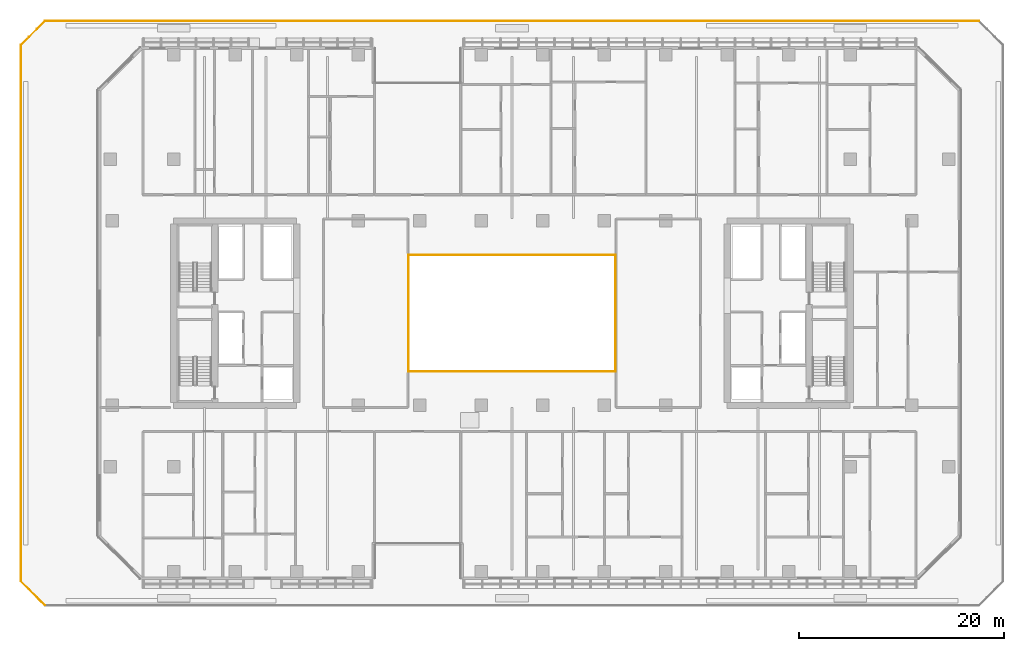
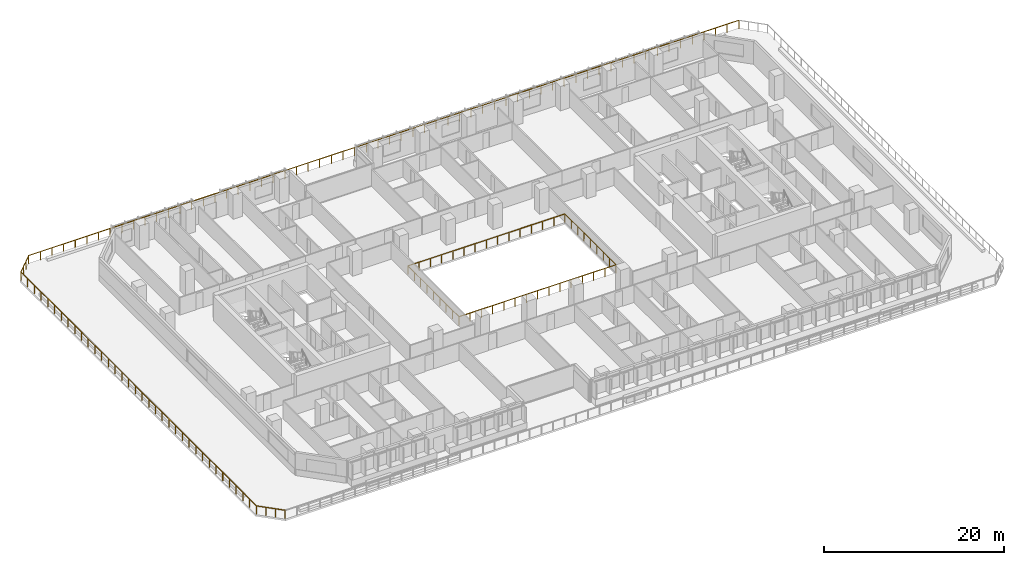
# One storey, part 16 of 23: 3 railings.
"""IFC4 building model written with IfcOpenShell, lengths in metres."""

from ifc_helpers import new_model, si_unit, direction, frame, origin, place, context, subcontext, project, spatial, rectangle, extrude, material, type_object, element, save


model = new_model("IFC4")

# Units and contexts
model_context = context("Model", 3, precision=1e-05, world=origin(), true_north=direction((0.0, 1.0)))
body_context = subcontext(model_context, "Body", "Model", "MODEL_VIEW")
ifc_project = project(units=[si_unit("LENGTHUNIT", "METRE"), si_unit("AREAUNIT", "SQUARE_METRE"), si_unit("VOLUMEUNIT", "CUBIC_METRE"), si_unit("PLANEANGLEUNIT", "RADIAN"), si_unit("MASSUNIT", "GRAM", prefix="KILO")], contexts=[model_context])

# Site, building, storey
site_placement = place(None, origin())
site = spatial("IfcSite", under=ifc_project, at=site_placement, CompositionType="ELEMENT")
building_placement = place(site_placement, origin())
building = spatial("IfcBuilding", under=site, at=building_placement, Name="Tanjung Sevakor Pilgrim Tower", CompositionType="ELEMENT")
storey_placement = place(building_placement, frame((0.0, 0.0, 29.0400390625)))
storey = spatial("IfcBuildingStorey", under=building, at=storey_placement, Name="L07", CompositionType="ELEMENT", Elevation=29.0400390625)

# Railings
ifc_material_1 = material(Name="Laminated Glass and Aluminium", Category="aluminium")
railing_type_1 = type_object("IfcRailingType", Name="RL-BAL-BALUST", PredefinedType="BALUSTRADE", material=ifc_material_1)
railing_1_placement = place(storey_placement, frame((46.919921875, 27.919921875, 0.0)))
element("IfcRailing", 1, at=railing_1_placement, inside=storey, type_object=railing_type_1, Name="L07 Void Opening Balustrade 1A", PredefinedType="BALUSTRADE", context=body_context, shape_type="SweptSolid", body=[
    extrude(rectangle(XDim=0.0479, YDim=0.0479), frame((0.0, 0.0, 1.1259765625), z_axis=(1.0, 0.0, 0.0), x_axis=(0.0, 1.0, 0.0)), (0.0, 0.0, 1.0), 20.16015625),
    extrude(rectangle(XDim=0.0479, YDim=0.0479), frame((20.16015625, 0.0, 1.1259765625), z_axis=(0.0, 1.0, 0.0), x_axis=(-1.0, 0.0, 0.0)), (0.0, 0.0, 1.0), 11.360107421875),
    extrude(rectangle(XDim=0.042, YDim=0.042), origin(), (0.0, 0.0, 1.0), 1.101806640625),
    extrude(rectangle(XDim=0.042, YDim=0.042), frame((1.43994140625, 0.0, 0.0)), (0.0, 0.0, 1.0), 1.101806640625),
    extrude(rectangle(XDim=0.042, YDim=0.042), frame((2.880126953125, 0.0, 0.0)), (0.0, 0.0, 1.0), 1.101806640625),
    extrude(rectangle(XDim=0.042, YDim=0.042), frame((4.320068359375, 0.0, 0.0)), (0.0, 0.0, 1.0), 1.101806640625),
    extrude(rectangle(XDim=0.042, YDim=0.042), frame((5.760009765625, 0.0, 0.0)), (0.0, 0.0, 1.0), 1.101806640625),
    extrude(rectangle(XDim=0.042, YDim=0.042), frame((7.199951171875, 0.0, 0.0)), (0.0, 0.0, 1.0), 1.101806640625),
    extrude(rectangle(XDim=0.042, YDim=0.042), frame((8.64013671875, 0.0, 0.0)), (0.0, 0.0, 1.0), 1.101806640625),
    extrude(rectangle(XDim=0.042, YDim=0.042), frame((10.080078125, 0.0, 0.0)), (0.0, 0.0, 1.0), 1.101806640625),
    extrude(rectangle(XDim=0.042, YDim=0.042), frame((11.52001953125, 0.0, 0.0)), (0.0, 0.0, 1.0), 1.101806640625),
    extrude(rectangle(XDim=0.042, YDim=0.042), frame((12.960205078125, 0.0, 0.0)), (0.0, 0.0, 1.0), 1.101806640625),
    extrude(rectangle(XDim=0.042, YDim=0.042), frame((14.400146484375, 0.0, 0.0)), (0.0, 0.0, 1.0), 1.101806640625),
    extrude(rectangle(XDim=0.042, YDim=0.042), frame((15.840087890625, 0.0, 0.0)), (0.0, 0.0, 1.0), 1.101806640625),
    extrude(rectangle(XDim=0.042, YDim=0.042), frame((17.280029296875, 0.0, 0.0)), (0.0, 0.0, 1.0), 1.101806640625),
    extrude(rectangle(XDim=0.042, YDim=0.042), frame((18.72021484375, 0.0, 0.0)), (0.0, 0.0, 1.0), 1.101806640625),
    extrude(rectangle(XDim=0.042, YDim=0.042), frame((20.16015625, 0.0, 0.0)), (0.0, 0.0, 1.0), 1.101806640625),
    extrude(rectangle(XDim=0.042, YDim=0.042), frame((20.16015625, 1.419921875, 0.0)), (0.0, 0.0, 1.0), 1.101806640625),
    extrude(rectangle(XDim=0.042, YDim=0.042), frame((20.16015625, 2.840087890625, 0.0)), (0.0, 0.0, 1.0), 1.101806640625),
    extrude(rectangle(XDim=0.042, YDim=0.042), frame((20.16015625, 4.260009765625, 0.0)), (0.0, 0.0, 1.0), 1.101806640625),
    extrude(rectangle(XDim=0.042, YDim=0.042), frame((20.16015625, 5.68017578125, 0.0)), (0.0, 0.0, 1.0), 1.101806640625),
    extrude(rectangle(XDim=0.042, YDim=0.042), frame((20.16015625, 7.10009765625, 0.0)), (0.0, 0.0, 1.0), 1.101806640625),
    extrude(rectangle(XDim=0.042, YDim=0.042), frame((20.16015625, 8.52001953125, 0.0)), (0.0, 0.0, 1.0), 1.101806640625),
    extrude(rectangle(XDim=0.042, YDim=0.042), frame((20.16015625, 9.940185546875, 0.0)), (0.0, 0.0, 1.0), 1.101806640625),
    extrude(rectangle(XDim=0.042, YDim=0.042), frame((20.16015625, 11.360107421875, 0.0)), (0.0, 0.0, 1.0), 1.101806640625),
])
railing_2_placement = place(storey_placement, frame((67.080078125, 39.280029296875, 0.0)))
element("IfcRailing", 2, at=railing_2_placement, inside=storey, type_object=railing_type_1, Name="L07 Void Opening Balustrade 1B", PredefinedType="BALUSTRADE", context=body_context, shape_type="SweptSolid", body=[
    extrude(rectangle(XDim=0.0479, YDim=0.0479), frame((0.0, 0.0, 1.1259765625), z_axis=(-1.0, 0.0, 0.0), x_axis=(0.0, -1.0, 0.0)), (0.0, 0.0, 1.0), 20.16015625),
    extrude(rectangle(XDim=0.0479, YDim=0.0479), frame((-20.16015625, 0.0, 1.1259765625), z_axis=(0.0, -1.0, 0.0), x_axis=(1.0, 0.0, 0.0)), (0.0, 0.0, 1.0), 11.360107421875),
    extrude(rectangle(XDim=0.042, YDim=0.042), origin(), (0.0, 0.0, 1.0), 1.101806640625),
    extrude(rectangle(XDim=0.042, YDim=0.042), frame((-1.43994140625, 0.0, 0.0)), (0.0, 0.0, 1.0), 1.101806640625),
    extrude(rectangle(XDim=0.042, YDim=0.042), frame((-2.880126953125, 0.0, 0.0)), (0.0, 0.0, 1.0), 1.101806640625),
    extrude(rectangle(XDim=0.042, YDim=0.042), frame((-4.320068359375, 0.0, 0.0)), (0.0, 0.0, 1.0), 1.101806640625),
    extrude(rectangle(XDim=0.042, YDim=0.042), frame((-5.760009765625, 0.0, 0.0)), (0.0, 0.0, 1.0), 1.101806640625),
    extrude(rectangle(XDim=0.042, YDim=0.042), frame((-7.199951171875, 0.0, 0.0)), (0.0, 0.0, 1.0), 1.101806640625),
    extrude(rectangle(XDim=0.042, YDim=0.042), frame((-8.64013671875, 0.0, 0.0)), (0.0, 0.0, 1.0), 1.101806640625),
    extrude(rectangle(XDim=0.042, YDim=0.042), frame((-10.080078125, 0.0, 0.0)), (0.0, 0.0, 1.0), 1.101806640625),
    extrude(rectangle(XDim=0.042, YDim=0.042), frame((-11.52001953125, 0.0, 0.0)), (0.0, 0.0, 1.0), 1.101806640625),
    extrude(rectangle(XDim=0.042, YDim=0.042), frame((-12.960205078125, 0.0, 0.0)), (0.0, 0.0, 1.0), 1.101806640625),
    extrude(rectangle(XDim=0.042, YDim=0.042), frame((-14.400146484375, 0.0, 0.0)), (0.0, 0.0, 1.0), 1.101806640625),
    extrude(rectangle(XDim=0.042, YDim=0.042), frame((-15.840087890625, 0.0, 0.0)), (0.0, 0.0, 1.0), 1.101806640625),
    extrude(rectangle(XDim=0.042, YDim=0.042), frame((-17.280029296875, 0.0, 0.0)), (0.0, 0.0, 1.0), 1.101806640625),
    extrude(rectangle(XDim=0.042, YDim=0.042), frame((-18.72021484375, 0.0, 0.0)), (0.0, 0.0, 1.0), 1.101806640625),
    extrude(rectangle(XDim=0.042, YDim=0.042), frame((-20.16015625, 0.0, 0.0)), (0.0, 0.0, 1.0), 1.101806640625),
    extrude(rectangle(XDim=0.042, YDim=0.042), frame((-20.16015625, -1.419921875, 0.0)), (0.0, 0.0, 1.0), 1.101806640625),
    extrude(rectangle(XDim=0.042, YDim=0.042), frame((-20.16015625, -2.840087890625, 0.0)), (0.0, 0.0, 1.0), 1.101806640625),
    extrude(rectangle(XDim=0.042, YDim=0.042), frame((-20.16015625, -4.260009765625, 0.0)), (0.0, 0.0, 1.0), 1.101806640625),
    extrude(rectangle(XDim=0.042, YDim=0.042), frame((-20.16015625, -5.68017578125, 0.0)), (0.0, 0.0, 1.0), 1.101806640625),
    extrude(rectangle(XDim=0.042, YDim=0.042), frame((-20.16015625, -7.10009765625, 0.0)), (0.0, 0.0, 1.0), 1.101806640625),
    extrude(rectangle(XDim=0.042, YDim=0.042), frame((-20.16015625, -8.52001953125, 0.0)), (0.0, 0.0, 1.0), 1.101806640625),
    extrude(rectangle(XDim=0.042, YDim=0.042), frame((-20.16015625, -9.940185546875, 0.0)), (0.0, 0.0, 1.0), 1.101806640625),
    extrude(rectangle(XDim=0.042, YDim=0.042), frame((-20.16015625, -11.360107421875, 0.0)), (0.0, 0.0, 1.0), 1.101806640625),
])
ifc_material_2 = material(Name="Steel S355J2", Category="steel")
railing_type_2 = type_object("IfcRailingType", Name="RL-EXT-GUARD", PredefinedType="GUARDRAIL", material=ifc_material_2)
railing_3_placement = place(storey_placement, frame((102.55859375, 62.10009765625, 0.0)))
element("IfcRailing", 3, at=railing_3_placement, inside=storey, type_object=railing_type_2, Name="L07 Terrace Perimeter Guardrail GR-PODTER-L07-2", PredefinedType="GUARDRAIL", context=body_context, shape_type="SweptSolid", body=[
    extrude(rectangle(XDim=0.0479, YDim=0.0479), frame((0.0, 0.0, 1.1259765625), z_axis=(-1.0, 0.0, 0.0), x_axis=(0.0, -1.0, 0.0)), (0.0, 0.0, 1.0), 91.1171875),
    extrude(rectangle(XDim=0.0479, YDim=0.0479), frame((-91.1171875, 0.0, 1.1259765625), z_axis=(-0.707069915266, -0.707143645185, 0.0), x_axis=(0.707143645185, -0.707069915266, 0.0)), (0.0, 0.0, 1.0), 3.311279296875),
    extrude(rectangle(XDim=0.0479, YDim=0.0479), frame((-93.45849609375, -2.341552734375, 1.1259765625), z_axis=(0.0, -1.0, 0.0), x_axis=(1.0, 0.0, 0.0)), (0.0, 0.0, 1.0), 52.317138671875),
    extrude(rectangle(XDim=0.0479, YDim=0.0479), frame((-93.45849609375, -54.65869140625, 1.1259765625), z_axis=(0.707106781187, -0.707106781187, 0.0), x_axis=(0.707106781187, 0.707106781187, 0.0)), (0.0, 0.0, 1.0), 3.31103515625),
    extrude(rectangle(XDim=0.042, YDim=0.042), origin(), (0.0, 0.0, 1.0), 1.101806640625),
    extrude(rectangle(XDim=0.042, YDim=0.042), frame((-1.49365234375, 0.0, 0.0)), (0.0, 0.0, 1.0), 1.101806640625),
    extrude(rectangle(XDim=0.042, YDim=0.042), frame((-2.987548828125, 0.0, 0.0)), (0.0, 0.0, 1.0), 1.101806640625),
    extrude(rectangle(XDim=0.042, YDim=0.042), frame((-4.481201171875, 0.0, 0.0)), (0.0, 0.0, 1.0), 1.101806640625),
    extrude(rectangle(XDim=0.042, YDim=0.042), frame((-5.974853515625, 0.0, 0.0)), (0.0, 0.0, 1.0), 1.101806640625),
    extrude(rectangle(XDim=0.042, YDim=0.042), frame((-7.468505859375, 0.0, 0.0)), (0.0, 0.0, 1.0), 1.101806640625),
    extrude(rectangle(XDim=0.042, YDim=0.042), frame((-8.96240234375, 0.0, 0.0)), (0.0, 0.0, 1.0), 1.101806640625),
    extrude(rectangle(XDim=0.042, YDim=0.042), frame((-10.4560546875, 0.0, 0.0)), (0.0, 0.0, 1.0), 1.101806640625),
    extrude(rectangle(XDim=0.042, YDim=0.042), frame((-11.94970703125, 0.0, 0.0)), (0.0, 0.0, 1.0), 1.101806640625),
    extrude(rectangle(XDim=0.042, YDim=0.042), frame((-13.443603515625, 0.0, 0.0)), (0.0, 0.0, 1.0), 1.101806640625),
    extrude(rectangle(XDim=0.042, YDim=0.042), frame((-14.937255859375, 0.0, 0.0)), (0.0, 0.0, 1.0), 1.101806640625),
    extrude(rectangle(XDim=0.042, YDim=0.042), frame((-16.430908203125, 0.0, 0.0)), (0.0, 0.0, 1.0), 1.101806640625),
    extrude(rectangle(XDim=0.042, YDim=0.042), frame((-17.9248046875, 0.0, 0.0)), (0.0, 0.0, 1.0), 1.101806640625),
    extrude(rectangle(XDim=0.042, YDim=0.042), frame((-19.41845703125, 0.0, 0.0)), (0.0, 0.0, 1.0), 1.101806640625),
    extrude(rectangle(XDim=0.042, YDim=0.042), frame((-20.912109375, 0.0, 0.0)), (0.0, 0.0, 1.0), 1.101806640625),
    extrude(rectangle(XDim=0.042, YDim=0.042), frame((-22.40576171875, 0.0, 0.0)), (0.0, 0.0, 1.0), 1.101806640625),
    extrude(rectangle(XDim=0.042, YDim=0.042), frame((-23.899658203125, 0.0, 0.0)), (0.0, 0.0, 1.0), 1.101806640625),
    extrude(rectangle(XDim=0.042, YDim=0.042), frame((-25.393310546875, 0.0, 0.0)), (0.0, 0.0, 1.0), 1.101806640625),
    extrude(rectangle(XDim=0.042, YDim=0.042), frame((-26.886962890625, 0.0, 0.0)), (0.0, 0.0, 1.0), 1.101806640625),
    extrude(rectangle(XDim=0.042, YDim=0.042), frame((-28.380859375, 0.0, 0.0)), (0.0, 0.0, 1.0), 1.101806640625),
    extrude(rectangle(XDim=0.042, YDim=0.042), frame((-29.87451171875, 0.0, 0.0)), (0.0, 0.0, 1.0), 1.101806640625),
    extrude(rectangle(XDim=0.042, YDim=0.042), frame((-31.3681640625, 0.0, 0.0)), (0.0, 0.0, 1.0), 1.101806640625),
    extrude(rectangle(XDim=0.042, YDim=0.042), frame((-32.86181640625, 0.0, 0.0)), (0.0, 0.0, 1.0), 1.101806640625),
    extrude(rectangle(XDim=0.042, YDim=0.042), frame((-34.355712890625, 0.0, 0.0)), (0.0, 0.0, 1.0), 1.101806640625),
    extrude(rectangle(XDim=0.042, YDim=0.042), frame((-35.849365234375, 0.0, 0.0)), (0.0, 0.0, 1.0), 1.101806640625),
    extrude(rectangle(XDim=0.042, YDim=0.042), frame((-37.343017578125, 0.0, 0.0)), (0.0, 0.0, 1.0), 1.101806640625),
    extrude(rectangle(XDim=0.042, YDim=0.042), frame((-38.8369140625, 0.0, 0.0)), (0.0, 0.0, 1.0), 1.101806640625),
    extrude(rectangle(XDim=0.042, YDim=0.042), frame((-40.33056640625, 0.0, 0.0)), (0.0, 0.0, 1.0), 1.101806640625),
    extrude(rectangle(XDim=0.042, YDim=0.042), frame((-41.82421875, 0.0, 0.0)), (0.0, 0.0, 1.0), 1.101806640625),
    extrude(rectangle(XDim=0.042, YDim=0.042), frame((-43.318115234375, 0.0, 0.0)), (0.0, 0.0, 1.0), 1.101806640625),
    extrude(rectangle(XDim=0.042, YDim=0.042), frame((-44.811767578125, 0.0, 0.0)), (0.0, 0.0, 1.0), 1.101806640625),
    extrude(rectangle(XDim=0.042, YDim=0.042), frame((-46.305419921875, 0.0, 0.0)), (0.0, 0.0, 1.0), 1.101806640625),
    extrude(rectangle(XDim=0.042, YDim=0.042), frame((-47.799072265625, 0.0, 0.0)), (0.0, 0.0, 1.0), 1.101806640625),
    extrude(rectangle(XDim=0.042, YDim=0.042), frame((-49.29296875, 0.0, 0.0)), (0.0, 0.0, 1.0), 1.101806640625),
    extrude(rectangle(XDim=0.042, YDim=0.042), frame((-50.78662109375, 0.0, 0.0)), (0.0, 0.0, 1.0), 1.101806640625),
    extrude(rectangle(XDim=0.042, YDim=0.042), frame((-52.2802734375, 0.0, 0.0)), (0.0, 0.0, 1.0), 1.101806640625),
    extrude(rectangle(XDim=0.042, YDim=0.042), frame((-53.774169921875, 0.0, 0.0)), (0.0, 0.0, 1.0), 1.101806640625),
    extrude(rectangle(XDim=0.042, YDim=0.042), frame((-55.267822265625, 0.0, 0.0)), (0.0, 0.0, 1.0), 1.101806640625),
    extrude(rectangle(XDim=0.042, YDim=0.042), frame((-56.761474609375, 0.0, 0.0)), (0.0, 0.0, 1.0), 1.101806640625),
    extrude(rectangle(XDim=0.042, YDim=0.042), frame((-58.25537109375, 0.0, 0.0)), (0.0, 0.0, 1.0), 1.101806640625),
    extrude(rectangle(XDim=0.042, YDim=0.042), frame((-59.7490234375, 0.0, 0.0)), (0.0, 0.0, 1.0), 1.101806640625),
    extrude(rectangle(XDim=0.042, YDim=0.042), frame((-61.24267578125, 0.0, 0.0)), (0.0, 0.0, 1.0), 1.101806640625),
    extrude(rectangle(XDim=0.042, YDim=0.042), frame((-62.736328125, 0.0, 0.0)), (0.0, 0.0, 1.0), 1.101806640625),
    extrude(rectangle(XDim=0.042, YDim=0.042), frame((-64.230224609375, 0.0, 0.0)), (0.0, 0.0, 1.0), 1.101806640625),
    extrude(rectangle(XDim=0.042, YDim=0.042), frame((-65.723876953125, 0.0, 0.0)), (0.0, 0.0, 1.0), 1.101806640625),
    extrude(rectangle(XDim=0.042, YDim=0.042), frame((-67.217529296875, 0.0, 0.0)), (0.0, 0.0, 1.0), 1.101806640625),
    extrude(rectangle(XDim=0.042, YDim=0.042), frame((-68.71142578125, 0.0, 0.0)), (0.0, 0.0, 1.0), 1.101806640625),
    extrude(rectangle(XDim=0.042, YDim=0.042), frame((-70.205078125, 0.0, 0.0)), (0.0, 0.0, 1.0), 1.101806640625),
    extrude(rectangle(XDim=0.042, YDim=0.042), frame((-71.69873046875, 0.0, 0.0)), (0.0, 0.0, 1.0), 1.101806640625),
    extrude(rectangle(XDim=0.042, YDim=0.042), frame((-73.1923828125, 0.0, 0.0)), (0.0, 0.0, 1.0), 1.101806640625),
    extrude(rectangle(XDim=0.042, YDim=0.042), frame((-74.686279296875, 0.0, 0.0)), (0.0, 0.0, 1.0), 1.101806640625),
    extrude(rectangle(XDim=0.042, YDim=0.042), frame((-76.179931640625, 0.0, 0.0)), (0.0, 0.0, 1.0), 1.101806640625),
    extrude(rectangle(XDim=0.042, YDim=0.042), frame((-77.673583984375, 0.0, 0.0)), (0.0, 0.0, 1.0), 1.101806640625),
    extrude(rectangle(XDim=0.042, YDim=0.042), frame((-79.16748046875, 0.0, 0.0)), (0.0, 0.0, 1.0), 1.101806640625),
    extrude(rectangle(XDim=0.042, YDim=0.042), frame((-80.6611328125, 0.0, 0.0)), (0.0, 0.0, 1.0), 1.101806640625),
    extrude(rectangle(XDim=0.042, YDim=0.042), frame((-82.15478515625, 0.0, 0.0)), (0.0, 0.0, 1.0), 1.101806640625),
    extrude(rectangle(XDim=0.042, YDim=0.042), frame((-83.648681640625, 0.0, 0.0)), (0.0, 0.0, 1.0), 1.101806640625),
    extrude(rectangle(XDim=0.042, YDim=0.042), frame((-85.142333984375, 0.0, 0.0)), (0.0, 0.0, 1.0), 1.101806640625),
    extrude(rectangle(XDim=0.042, YDim=0.042), frame((-86.635986328125, 0.0, 0.0)), (0.0, 0.0, 1.0), 1.101806640625),
    extrude(rectangle(XDim=0.042, YDim=0.042), frame((-88.129638671875, 0.0, 0.0)), (0.0, 0.0, 1.0), 1.101806640625),
    extrude(rectangle(XDim=0.042, YDim=0.042), frame((-89.62353515625, 0.0, 0.0)), (0.0, 0.0, 1.0), 1.101806640625),
    extrude(rectangle(XDim=0.042, YDim=0.042), frame((-91.1171875, 0.0, 0.0)), (0.0, 0.0, 1.0), 1.101806640625),
    extrude(rectangle(XDim=0.042, YDim=0.042), frame((-91.897705078125, -0.780517578125, 0.0)), (0.0, 0.0, 1.0), 1.101806640625),
    extrude(rectangle(XDim=0.042, YDim=0.042), frame((-92.677978515625, -1.56103515625, 0.0)), (0.0, 0.0, 1.0), 1.101806640625),
    extrude(rectangle(XDim=0.042, YDim=0.042), frame((-93.45849609375, -2.341552734375, 0.0)), (0.0, 0.0, 1.0), 1.101806640625),
    extrude(rectangle(XDim=0.042, YDim=0.042), frame((-93.45849609375, -3.83642578125, 0.0)), (0.0, 0.0, 1.0), 1.101806640625),
    extrude(rectangle(XDim=0.042, YDim=0.042), frame((-93.45849609375, -5.3310546875, 0.0)), (0.0, 0.0, 1.0), 1.101806640625),
    extrude(rectangle(XDim=0.042, YDim=0.042), frame((-93.45849609375, -6.825927734375, 0.0)), (0.0, 0.0, 1.0), 1.101806640625),
    extrude(rectangle(XDim=0.042, YDim=0.042), frame((-93.45849609375, -8.320556640625, 0.0)), (0.0, 0.0, 1.0), 1.101806640625),
    extrude(rectangle(XDim=0.042, YDim=0.042), frame((-93.45849609375, -9.8154296875, 0.0)), (0.0, 0.0, 1.0), 1.101806640625),
    extrude(rectangle(XDim=0.042, YDim=0.042), frame((-93.45849609375, -11.310302734375, 0.0)), (0.0, 0.0, 1.0), 1.101806640625),
    extrude(rectangle(XDim=0.042, YDim=0.042), frame((-93.45849609375, -12.804931640625, 0.0)), (0.0, 0.0, 1.0), 1.101806640625),
    extrude(rectangle(XDim=0.042, YDim=0.042), frame((-93.45849609375, -14.2998046875, 0.0)), (0.0, 0.0, 1.0), 1.101806640625),
    extrude(rectangle(XDim=0.042, YDim=0.042), frame((-93.45849609375, -15.79443359375, 0.0)), (0.0, 0.0, 1.0), 1.101806640625),
    extrude(rectangle(XDim=0.042, YDim=0.042), frame((-93.45849609375, -17.289306640625, 0.0)), (0.0, 0.0, 1.0), 1.101806640625),
    extrude(rectangle(XDim=0.042, YDim=0.042), frame((-93.45849609375, -18.7841796875, 0.0)), (0.0, 0.0, 1.0), 1.101806640625),
    extrude(rectangle(XDim=0.042, YDim=0.042), frame((-93.45849609375, -20.27880859375, 0.0)), (0.0, 0.0, 1.0), 1.101806640625),
    extrude(rectangle(XDim=0.042, YDim=0.042), frame((-93.45849609375, -21.773681640625, 0.0)), (0.0, 0.0, 1.0), 1.101806640625),
    extrude(rectangle(XDim=0.042, YDim=0.042), frame((-93.45849609375, -23.268310546875, 0.0)), (0.0, 0.0, 1.0), 1.101806640625),
    extrude(rectangle(XDim=0.042, YDim=0.042), frame((-93.45849609375, -24.76318359375, 0.0)), (0.0, 0.0, 1.0), 1.101806640625),
    extrude(rectangle(XDim=0.042, YDim=0.042), frame((-93.45849609375, -26.258056640625, 0.0)), (0.0, 0.0, 1.0), 1.101806640625),
    extrude(rectangle(XDim=0.042, YDim=0.042), frame((-93.45849609375, -27.752685546875, 0.0)), (0.0, 0.0, 1.0), 1.101806640625),
    extrude(rectangle(XDim=0.042, YDim=0.042), frame((-93.45849609375, -29.24755859375, 0.0)), (0.0, 0.0, 1.0), 1.101806640625),
    extrude(rectangle(XDim=0.042, YDim=0.042), frame((-93.45849609375, -30.7421875, 0.0)), (0.0, 0.0, 1.0), 1.101806640625),
    extrude(rectangle(XDim=0.042, YDim=0.042), frame((-93.45849609375, -32.237060546875, 0.0)), (0.0, 0.0, 1.0), 1.101806640625),
    extrude(rectangle(XDim=0.042, YDim=0.042), frame((-93.45849609375, -33.73193359375, 0.0)), (0.0, 0.0, 1.0), 1.101806640625),
    extrude(rectangle(XDim=0.042, YDim=0.042), frame((-93.45849609375, -35.2265625, 0.0)), (0.0, 0.0, 1.0), 1.101806640625),
    extrude(rectangle(XDim=0.042, YDim=0.042), frame((-93.45849609375, -36.721435546875, 0.0)), (0.0, 0.0, 1.0), 1.101806640625),
    extrude(rectangle(XDim=0.042, YDim=0.042), frame((-93.45849609375, -38.216064453125, 0.0)), (0.0, 0.0, 1.0), 1.101806640625),
    extrude(rectangle(XDim=0.042, YDim=0.042), frame((-93.45849609375, -39.7109375, 0.0)), (0.0, 0.0, 1.0), 1.101806640625),
    extrude(rectangle(XDim=0.042, YDim=0.042), frame((-93.45849609375, -41.205810546875, 0.0)), (0.0, 0.0, 1.0), 1.101806640625),
    extrude(rectangle(XDim=0.042, YDim=0.042), frame((-93.45849609375, -42.700439453125, 0.0)), (0.0, 0.0, 1.0), 1.101806640625),
    extrude(rectangle(XDim=0.042, YDim=0.042), frame((-93.45849609375, -44.1953125, 0.0)), (0.0, 0.0, 1.0), 1.101806640625),
    extrude(rectangle(XDim=0.042, YDim=0.042), frame((-93.45849609375, -45.68994140625, 0.0)), (0.0, 0.0, 1.0), 1.101806640625),
    extrude(rectangle(XDim=0.042, YDim=0.042), frame((-93.45849609375, -47.184814453125, 0.0)), (0.0, 0.0, 1.0), 1.101806640625),
    extrude(rectangle(XDim=0.042, YDim=0.042), frame((-93.45849609375, -48.6796875, 0.0)), (0.0, 0.0, 1.0), 1.101806640625),
    extrude(rectangle(XDim=0.042, YDim=0.042), frame((-93.45849609375, -50.17431640625, 0.0)), (0.0, 0.0, 1.0), 1.101806640625),
    extrude(rectangle(XDim=0.042, YDim=0.042), frame((-93.45849609375, -51.669189453125, 0.0)), (0.0, 0.0, 1.0), 1.101806640625),
    extrude(rectangle(XDim=0.042, YDim=0.042), frame((-93.45849609375, -53.163818359375, 0.0)), (0.0, 0.0, 1.0), 1.101806640625),
    extrude(rectangle(XDim=0.042, YDim=0.042), frame((-93.45849609375, -54.65869140625, 0.0)), (0.0, 0.0, 1.0), 1.101806640625),
    extrude(rectangle(XDim=0.042, YDim=0.042), frame((-92.677978515625, -55.439208984375, 0.0)), (0.0, 0.0, 1.0), 1.101806640625),
    extrude(rectangle(XDim=0.042, YDim=0.042), frame((-91.897705078125, -56.219482421875, 0.0)), (0.0, 0.0, 1.0), 1.101806640625),
    extrude(rectangle(XDim=0.042, YDim=0.042), frame((-91.1171875, -57.0, 0.0)), (0.0, 0.0, 1.0), 1.101806640625),
])

save(model, "model.ifc")
